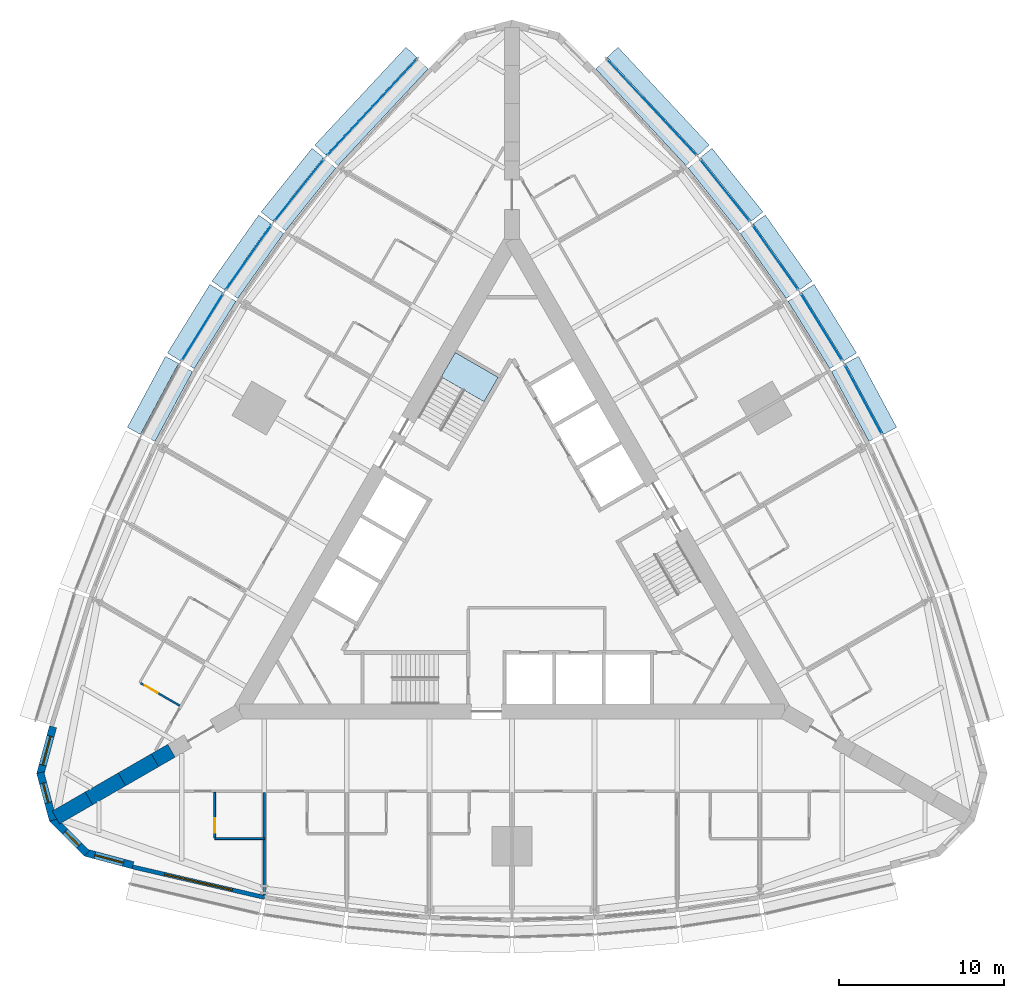
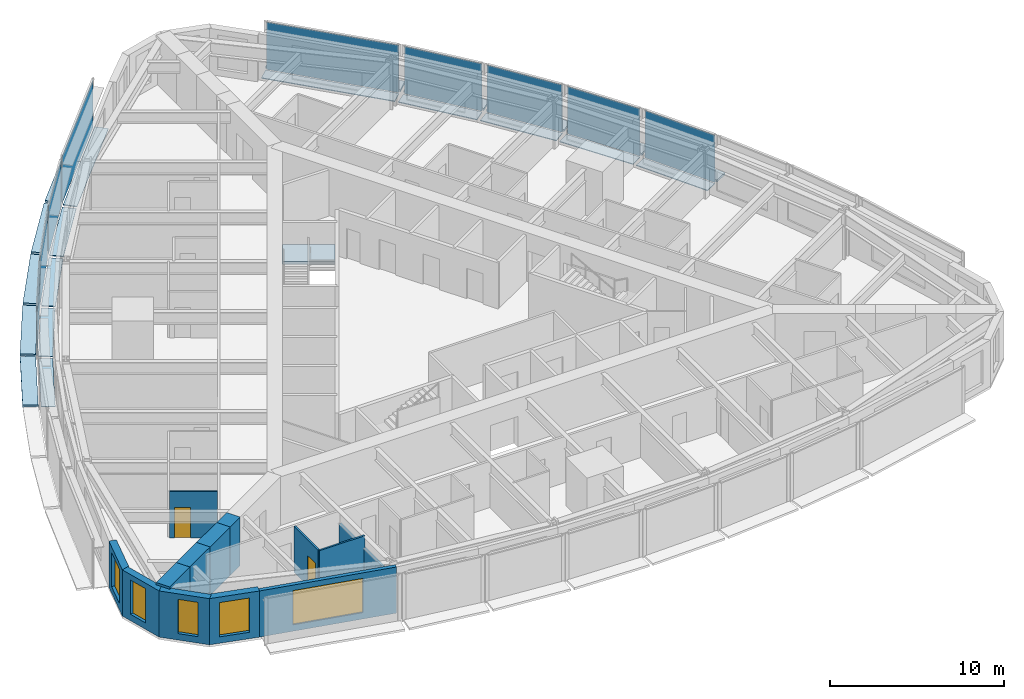
# One storey, part 7 of 14: 29 plates, 13 walls, 5 windows, 2 doors, 1 slab, 7 openings, 10 elements without a shape of their own.
"""IFC4 building model written with IfcOpenShell, lengths in metres."""

from ifc_helpers import new_model, si_unit, direction, frame, frame_2d, origin, origin_2d, place, context, subcontext, project, spatial, polyline, rectangle, outline, extrude, material, layer, layer_set, type_object, element, fill, aggregate, save


model = new_model("IFC4")

# Units and contexts
model_context = context("Model", 3, precision=1e-05, world=origin(), true_north=direction((0.0, 1.0)))
body_context = subcontext(model_context, "Body", "Model", "MODEL_VIEW")
ifc_project = project(units=[si_unit("LENGTHUNIT", "METRE"), si_unit("AREAUNIT", "SQUARE_METRE"), si_unit("VOLUMEUNIT", "CUBIC_METRE"), si_unit("PLANEANGLEUNIT", "RADIAN"), si_unit("MASSUNIT", "GRAM", prefix="KILO")], contexts=[model_context])

# Site, building, storey
site_placement = place(None, origin())
site = spatial("IfcSite", under=ifc_project, at=site_placement, CompositionType="ELEMENT")
building_placement = place(site_placement, origin())
building = spatial("IfcBuilding", under=site, at=building_placement, Name="Trikona Tower", CompositionType="ELEMENT")
storey_placement = place(building_placement, frame((0.0, 0.0, 65.89990234375)))
storey = spatial("IfcBuildingStorey", under=building, at=storey_placement, Name="L16", CompositionType="ELEMENT", Elevation=65.89990234375)

# Plates
ifc_material_1 = material(Name="Aluminium bar grating", Category="aluminium")
ifc_layer_1 = layer(ifc_material_1, 0.050048828125)
ifc_layer_set_1 = layer_set([ifc_layer_1], Name="Cavity catwalk grating")
plate_type_1 = type_object("IfcPlateType", Name="Cavity catwalk grating", PredefinedType="USERDEFINED", material=ifc_layer_set_1)
for number, where, z_axis, x_axis, name in (
    (1, (20.833740234375, 9.127197265625, -0.0498046875), (0.0, 0.0, 1.0), (-0.473422672721, 0.880835383572, 0.0), "Cavity catwalk L16-15"),
    (2, (18.3212890625, 13.47900390625, -0.0498046875), (0.0, 0.0, 1.0), (-0.526118935114, 0.85041099835, 0.0), "Cavity catwalk L16-16"),
):
    element("IfcPlate", number, at=place(storey_placement, frame(where, z_axis=z_axis, x_axis=x_axis)), inside=storey, type_object=plate_type_1, Name=name, ObjectType="CATWALK GRATING", PredefinedType="USERDEFINED", context=body_context, shape_type="SweptSolid", body=[
        extrude(rectangle(XDim=4.80224609375, YDim=0.820068359375, at=origin_2d()), origin(), (0.0, 0.0, 1.0), 0.050048828125),
    ])
plate_1_placement = place(storey_placement, frame((15.544189453125, 17.677734375, -0.0498046875), z_axis=(0.0, 0.0, 1.0), x_axis=(-0.576661909499, 0.816982889743, 0.0)))
element("IfcPlate", 3, at=plate_1_placement, inside=storey, type_object=plate_type_1, Name="Cavity catwalk L16-17", ObjectType="CATWALK GRATING", PredefinedType="USERDEFINED", context=body_context, shape_type="SweptSolid", body=[
    extrude(rectangle(XDim=4.82080078125, YDim=0.820068359375, at=origin_2d()), origin(), (0.0, 0.0, 1.0), 0.050048828125),
])
plate_2_placement = place(storey_placement, frame((12.502197265625, 21.72314453125, -0.0498046875), z_axis=(0.0, 0.0, 1.0), x_axis=(-0.624603618277, 0.780941944087, 0.0)))
element("IfcPlate", 4, at=plate_2_placement, inside=storey, type_object=plate_type_1, Name="Cavity catwalk L16-18", ObjectType="CATWALK GRATING", PredefinedType="USERDEFINED", context=body_context, shape_type="SweptSolid", body=[
    extrude(rectangle(XDim=4.857666015625, YDim=0.820068359375, at=origin_2d()), origin(), (0.0, 0.0, 1.0), 0.050048828125),
])
for number, where, z_axis, x_axis, name in (
    (5, (8.10107421875, 26.72314453125, -0.0498046875), (0.0, 0.0, 1.0), (-0.682298269147, 0.731073916864, 0.0), "Cavity catwalk L16-19"),
    (6, (-8.10107421875, 26.72314453125, -0.0498046875), (0.0, 0.0, 1.0), (-0.682298269147, -0.731073916864, 0.0), "Cavity catwalk L16-24"),
):
    element("IfcPlate", number, at=place(storey_placement, frame(where, z_axis=z_axis, x_axis=x_axis)), inside=storey, type_object=plate_type_1, Name=name, ObjectType="CATWALK GRATING", PredefinedType="USERDEFINED", context=body_context, shape_type="SweptSolid", body=[
        extrude(rectangle(XDim=8.01123046875, YDim=0.820068359375, at=origin_2d()), origin(), (0.0, 0.0, 1.0), 0.050048828125),
    ])
plate_3_placement = place(storey_placement, frame((-12.502197265625, 21.72314453125, -0.0498046875), z_axis=(0.0, 0.0, 1.0), x_axis=(-0.624603618277, -0.780941944087, 0.0)))
element("IfcPlate", 7, at=plate_3_placement, inside=storey, type_object=plate_type_1, Name="Cavity catwalk L16-25", ObjectType="CATWALK GRATING", PredefinedType="USERDEFINED", context=body_context, shape_type="SweptSolid", body=[
    extrude(rectangle(XDim=4.857666015625, YDim=0.820068359375, at=origin_2d()), origin(), (0.0, 0.0, 1.0), 0.050048828125),
])
plate_4_placement = place(storey_placement, frame((-15.544189453125, 17.677734375, -0.0498046875), z_axis=(0.0, 0.0, 1.0), x_axis=(-0.576661909499, -0.816982889743, 0.0)))
element("IfcPlate", 8, at=plate_4_placement, inside=storey, type_object=plate_type_1, Name="Cavity catwalk L16-26", ObjectType="CATWALK GRATING", PredefinedType="USERDEFINED", context=body_context, shape_type="SweptSolid", body=[
    extrude(rectangle(XDim=4.82080078125, YDim=0.820068359375, at=origin_2d()), origin(), (0.0, 0.0, 1.0), 0.050048828125),
])
for number, where, z_axis, x_axis, name in (
    (9, (-18.3212890625, 13.47900390625, -0.0498046875), (0.0, 0.0, 1.0), (-0.526118935114, -0.85041099835, 0.0), "Cavity catwalk L16-27"),
    (10, (-20.833740234375, 9.127197265625, -0.0498046875), (0.0, 0.0, 1.0), (-0.473422672721, -0.880835383572, 0.0), "Cavity catwalk L16-28"),
):
    element("IfcPlate", number, at=place(storey_placement, frame(where, z_axis=z_axis, x_axis=x_axis)), inside=storey, type_object=plate_type_1, Name=name, ObjectType="CATWALK GRATING", PredefinedType="USERDEFINED", context=body_context, shape_type="SweptSolid", body=[
        extrude(rectangle(XDim=4.80224609375, YDim=0.820068359375, at=origin_2d()), origin(), (0.0, 0.0, 1.0), 0.050048828125),
    ])

# Curtain wall, plate
ifc_material_2 = material(Name="Aluminium curtain wall system", Category="aluminium")
curtain_wall_type = type_object("IfcCurtainWallType", Name="Curtain wall DS1", PredefinedType="NOTDEFINED", material=ifc_material_2)
curtain_wall_1_placement = place(storey_placement, origin())
curtain_wall_1 = element("IfcCurtainWall", 11, at=curtain_wall_1_placement, inside=storey, type_object=curtain_wall_type, Name="Curtain wall DS1 L16", PredefinedType="NOTDEFINED")
ifc_material_3 = material(Name="Laminated clear glass", Category="glass")
ifc_layer_2 = layer(ifc_material_3, 0.028076171875)
ifc_layer_set_2 = layer_set([ifc_layer_2], Name="Glass panel DS1")
plate_type_2 = type_object("IfcPlateType", Name="Glass panel DS1", PredefinedType="CURTAIN_PANEL", material=ifc_layer_set_2)
plate_5_placement = place(storey_placement, frame((21.265380859375, 9.359130859375, 0.0), z_axis=(0.0, 0.0, 1.0), x_axis=(-0.473408350896, 0.880843080975, 0.0)))
plate_5 = element("IfcPlate", 12, at=plate_5_placement, type_object=plate_type_2, Name="CW-DS1 panel 1.1", PredefinedType="CURTAIN_PANEL", context=body_context, shape_type="SweptSolid", body=[
    extrude(rectangle(XDim=4.72216796875, YDim=0.028076171875, at=origin_2d()), origin(), (0.0, 0.0, 1.0), 3.320068359375),
])
aggregate(curtain_wall_1, [plate_5])

curtain_wall_2_placement = place(storey_placement, origin())
curtain_wall_2 = element("IfcCurtainWall", 13, at=curtain_wall_2_placement, inside=storey, type_object=curtain_wall_type, Name="Curtain wall DS1 L16", PredefinedType="NOTDEFINED")
plate_6_placement = place(storey_placement, frame((18.738037109375, 13.73681640625, 0.0), z_axis=(0.0, 0.0, 1.0), x_axis=(-0.526119790842, 0.850410468941, 0.0)))
plate_6 = element("IfcPlate", 14, at=plate_6_placement, type_object=plate_type_2, Name="CW-DS1 panel 1.1", PredefinedType="CURTAIN_PANEL", context=body_context, shape_type="SweptSolid", body=[
    extrude(rectangle(XDim=4.722412109375, YDim=0.028076171875, at=origin_2d()), origin(), (0.0, 0.0, 1.0), 3.320068359375),
])
aggregate(curtain_wall_2, [plate_6])

curtain_wall_3_placement = place(storey_placement, origin())
curtain_wall_3 = element("IfcCurtainWall", 15, at=curtain_wall_3_placement, inside=storey, type_object=curtain_wall_type, Name="Curtain wall DS1 L16", PredefinedType="NOTDEFINED")
plate_7_placement = place(storey_placement, frame((15.9443359375, 17.960205078125, 0.0), z_axis=(0.0, 0.0, 1.0), x_axis=(-0.576658362928, 0.816985393055, 0.0)))
plate_7 = element("IfcPlate", 16, at=plate_7_placement, type_object=plate_type_2, Name="CW-DS1 panel 1.1", PredefinedType="CURTAIN_PANEL", context=body_context, shape_type="SweptSolid", body=[
    extrude(rectangle(XDim=4.74072265625, YDim=0.028076171875, at=origin_2d()), origin(), (0.0, 0.0, 1.0), 3.320068359375),
])
aggregate(curtain_wall_3, [plate_7])

curtain_wall_4_placement = place(storey_placement, origin())
curtain_wall_4 = element("IfcCurtainWall", 17, at=curtain_wall_4_placement, inside=storey, type_object=curtain_wall_type, Name="Curtain wall DS1 L16", PredefinedType="NOTDEFINED")
plate_8_placement = place(storey_placement, frame((12.884765625, 22.029296875, 0.0), z_axis=(0.0, 0.0, 1.0), x_axis=(-0.624608599951, 0.780937959679, 0.0)))
plate_8 = element("IfcPlate", 18, at=plate_8_placement, type_object=plate_type_2, Name="CW-DS1 panel 1.1", PredefinedType="CURTAIN_PANEL", context=body_context, shape_type="SweptSolid", body=[
    extrude(rectangle(XDim=4.777587890625, YDim=0.028076171875, at=origin_2d()), origin(), (0.0, 0.0, 1.0), 3.320068359375),
])
aggregate(curtain_wall_4, [plate_8])

curtain_wall_5_placement = place(storey_placement, origin())
curtain_wall_5 = element("IfcCurtainWall", 19, at=curtain_wall_5_placement, inside=storey, type_object=curtain_wall_type, Name="Curtain wall DS1 L16", PredefinedType="NOTDEFINED")
plate_9_placement = place(storey_placement, frame((8.459228515625, 27.057373046875, 0.0), z_axis=(0.0, 0.0, 1.0), x_axis=(-0.682295351967, 0.731076639405, 0.0)))
plate_9 = element("IfcPlate", 20, at=plate_9_placement, type_object=plate_type_2, Name="CW-DS1 panel 1.1", PredefinedType="CURTAIN_PANEL", context=body_context, shape_type="SweptSolid", body=[
    extrude(rectangle(XDim=7.93115234375, YDim=0.028076171875, at=origin_2d()), origin(), (0.0, 0.0, 1.0), 3.320068359375),
])
aggregate(curtain_wall_5, [plate_9])

curtain_wall_6_placement = place(storey_placement, origin())
curtain_wall_6 = element("IfcCurtainWall", 21, at=curtain_wall_6_placement, inside=storey, type_object=curtain_wall_type, Name="Curtain wall DS1 L16", PredefinedType="NOTDEFINED")
plate_10_placement = place(storey_placement, frame((-8.459228515625, 27.057373046875, 0.0), z_axis=(0.0, 0.0, 1.0), x_axis=(-0.682295351967, -0.731076639405, 0.0)))
plate_10 = element("IfcPlate", 22, at=plate_10_placement, type_object=plate_type_2, Name="CW-DS1 panel 1.1", PredefinedType="CURTAIN_PANEL", context=body_context, shape_type="SweptSolid", body=[
    extrude(rectangle(XDim=7.93115234375, YDim=0.028076171875, at=origin_2d()), origin(), (0.0, 0.0, 1.0), 3.320068359375),
])
aggregate(curtain_wall_6, [plate_10])

curtain_wall_7_placement = place(storey_placement, origin())
curtain_wall_7 = element("IfcCurtainWall", 23, at=curtain_wall_7_placement, inside=storey, type_object=curtain_wall_type, Name="Curtain wall DS1 L16", PredefinedType="NOTDEFINED")
plate_11_placement = place(storey_placement, frame((-12.884765625, 22.029296875, 0.0), z_axis=(0.0, 0.0, 1.0), x_axis=(-0.624608599951, -0.780937959679, 0.0)))
plate_11 = element("IfcPlate", 24, at=plate_11_placement, type_object=plate_type_2, Name="CW-DS1 panel 1.1", PredefinedType="CURTAIN_PANEL", context=body_context, shape_type="SweptSolid", body=[
    extrude(rectangle(XDim=4.777587890625, YDim=0.028076171875, at=origin_2d()), origin(), (0.0, 0.0, 1.0), 3.320068359375),
])
aggregate(curtain_wall_7, [plate_11])

curtain_wall_8_placement = place(storey_placement, origin())
curtain_wall_8 = element("IfcCurtainWall", 25, at=curtain_wall_8_placement, inside=storey, type_object=curtain_wall_type, Name="Curtain wall DS1 L16", PredefinedType="NOTDEFINED")
plate_12_placement = place(storey_placement, frame((-15.9443359375, 17.960205078125, 0.0), z_axis=(0.0, 0.0, 1.0), x_axis=(-0.576658362928, -0.816985393055, 0.0)))
plate_12 = element("IfcPlate", 26, at=plate_12_placement, type_object=plate_type_2, Name="CW-DS1 panel 1.1", PredefinedType="CURTAIN_PANEL", context=body_context, shape_type="SweptSolid", body=[
    extrude(rectangle(XDim=4.74072265625, YDim=0.028076171875, at=origin_2d()), origin(), (0.0, 0.0, 1.0), 3.320068359375),
])
aggregate(curtain_wall_8, [plate_12])

curtain_wall_9_placement = place(storey_placement, origin())
curtain_wall_9 = element("IfcCurtainWall", 27, at=curtain_wall_9_placement, inside=storey, type_object=curtain_wall_type, Name="Curtain wall DS1 L16", PredefinedType="NOTDEFINED")
plate_13_placement = place(storey_placement, frame((-18.738037109375, 13.73681640625, 0.0), z_axis=(0.0, 0.0, 1.0), x_axis=(-0.526119790842, -0.850410468941, 0.0)))
plate_13 = element("IfcPlate", 28, at=plate_13_placement, type_object=plate_type_2, Name="CW-DS1 panel 1.1", PredefinedType="CURTAIN_PANEL", context=body_context, shape_type="SweptSolid", body=[
    extrude(rectangle(XDim=4.722412109375, YDim=0.028076171875, at=origin_2d()), origin(), (0.0, 0.0, 1.0), 3.320068359375),
])
aggregate(curtain_wall_9, [plate_13])

# Plates
ifc_material_4 = material(Name="Aluminium plate fin, pale anodised, on stainless steel outriggers", Category="steel")
ifc_layer_3 = layer(ifc_material_4, 0.14990234375)
ifc_layer_set_3 = layer_set([ifc_layer_3], Name="Outer skin fin 900")
plate_type_3 = type_object("IfcPlateType", Name="Outer skin fin 900", PredefinedType="USERDEFINED", material=ifc_layer_set_3)
for number, where, z_axis, x_axis, name in (
    (29, (21.732421875, 9.610107421875, 0.000244140625), (0.0, 0.0, 1.0), (-0.473422672721, 0.880835383572, 0.0), "Outer skin fin L16-15"),
    (30, (19.188720703125, 14.015625, 0.000244140625), (0.0, 0.0, 1.0), (-0.526118935114, 0.85041099835, 0.0), "Outer skin fin L16-16"),
):
    element("IfcPlate", number, at=place(storey_placement, frame(where, z_axis=z_axis, x_axis=x_axis)), inside=storey, type_object=plate_type_3, Name=name, ObjectType="FIN", PredefinedType="USERDEFINED", context=body_context, shape_type="SweptSolid", body=[
        extrude(rectangle(XDim=4.88232421875, YDim=0.89990234375, at=origin_2d()), origin(), (0.0, 0.0, 1.0), 0.14990234375),
    ])
plate_14_placement = place(storey_placement, frame((16.37744140625, 18.265869140625, 0.000244140625), z_axis=(0.0, 0.0, 1.0), x_axis=(-0.576661909499, 0.816982889743, 0.0)))
element("IfcPlate", 31, at=plate_14_placement, inside=storey, type_object=plate_type_3, Name="Outer skin fin L16-17", ObjectType="FIN", PredefinedType="USERDEFINED", context=body_context, shape_type="SweptSolid", body=[
    extrude(rectangle(XDim=4.90087890625, YDim=0.89990234375, at=origin_2d()), origin(), (0.0, 0.0, 1.0), 0.14990234375),
])
plate_15_placement = place(storey_placement, frame((13.298583984375, 22.360107421875, 0.000244140625), z_axis=(0.0, 0.0, 1.0), x_axis=(-0.624603618277, 0.780941944087, 0.0)))
element("IfcPlate", 32, at=plate_15_placement, inside=storey, type_object=plate_type_3, Name="Outer skin fin L16-18", ObjectType="FIN", PredefinedType="USERDEFINED", context=body_context, shape_type="SweptSolid", body=[
    extrude(rectangle(XDim=4.9375, YDim=0.89990234375, at=origin_2d()), origin(), (0.0, 0.0, 1.0), 0.14990234375),
])
for number, where, z_axis, x_axis, name in (
    (33, (8.8466796875, 27.419189453125, 0.000244140625), (0.0, 0.0, 1.0), (-0.682298269147, 0.731073916864, 0.0), "Outer skin fin L16-19"),
    (34, (-8.8466796875, 27.419189453125, 0.000244140625), (0.0, 0.0, 1.0), (-0.682298269147, -0.731073916864, 0.0), "Outer skin fin L16-24"),
):
    element("IfcPlate", number, at=place(storey_placement, frame(where, z_axis=z_axis, x_axis=x_axis)), inside=storey, type_object=plate_type_3, Name=name, ObjectType="FIN", PredefinedType="USERDEFINED", context=body_context, shape_type="SweptSolid", body=[
        extrude(rectangle(XDim=8.09130859375, YDim=0.89990234375, at=origin_2d()), origin(), (0.0, 0.0, 1.0), 0.14990234375),
    ])
plate_16_placement = place(storey_placement, frame((-13.298583984375, 22.360107421875, 0.000244140625), z_axis=(0.0, 0.0, 1.0), x_axis=(-0.624603618277, -0.780941944087, 0.0)))
element("IfcPlate", 35, at=plate_16_placement, inside=storey, type_object=plate_type_3, Name="Outer skin fin L16-25", ObjectType="FIN", PredefinedType="USERDEFINED", context=body_context, shape_type="SweptSolid", body=[
    extrude(rectangle(XDim=4.9375, YDim=0.89990234375, at=origin_2d()), origin(), (0.0, 0.0, 1.0), 0.14990234375),
])
plate_17_placement = place(storey_placement, frame((-16.37744140625, 18.265869140625, 0.000244140625), z_axis=(0.0, 0.0, 1.0), x_axis=(-0.576661909499, -0.816982889743, 0.0)))
element("IfcPlate", 36, at=plate_17_placement, inside=storey, type_object=plate_type_3, Name="Outer skin fin L16-26", ObjectType="FIN", PredefinedType="USERDEFINED", context=body_context, shape_type="SweptSolid", body=[
    extrude(rectangle(XDim=4.90087890625, YDim=0.89990234375, at=origin_2d()), origin(), (0.0, 0.0, 1.0), 0.14990234375),
])
for number, where, z_axis, x_axis, name in (
    (37, (-19.188720703125, 14.015625, 0.000244140625), (0.0, 0.0, 1.0), (-0.526118935114, -0.85041099835, 0.0), "Outer skin fin L16-27"),
    (38, (-21.732421875, 9.610107421875, 0.000244140625), (0.0, 0.0, 1.0), (-0.473422672721, -0.880835383572, 0.0), "Outer skin fin L16-28"),
):
    element("IfcPlate", number, at=place(storey_placement, frame(where, z_axis=z_axis, x_axis=x_axis)), inside=storey, type_object=plate_type_3, Name=name, ObjectType="FIN", PredefinedType="USERDEFINED", context=body_context, shape_type="SweptSolid", body=[
        extrude(rectangle(XDim=4.88232421875, YDim=0.89990234375, at=origin_2d()), origin(), (0.0, 0.0, 1.0), 0.14990234375),
    ])

# Stair, slab
ifc_material_5 = material(Name="Concrete f'c 5000 psi", Category="concrete")
stair_type = type_object("IfcStairType", Name="Core stair", PredefinedType="HALF_TURN_STAIR", material=ifc_material_5)
stair_placement = place(storey_placement, origin())
stair = element("IfcStair", 39, at=stair_placement, inside=storey, type_object=stair_type, Name="Stair C L16", PredefinedType="HALF_TURN_STAIR")
ifc_material_6 = material(Name="Concrete f'c 5000 psi", Category="concrete")
ifc_layer_4 = layer(ifc_material_6, 0.199951171875)
ifc_layer_set_4 = layer_set([ifc_layer_4], Name="Stair landing 200")
slab_type = type_object("IfcSlabType", Name="Stair landing 200", PredefinedType="LANDING", material=ifc_layer_set_4)
slab_placement = place(storey_placement, frame((0.0, 0.0, 1.5)))
slab = element("IfcSlab", 40, at=slab_placement, type_object=slab_type, Name="ST-C landing 2", PredefinedType="LANDING", context=body_context, shape_type="SweptSolid", body=[
    extrude(outline(polyline([(-0.837158203125, 10.702392578125), (-1.688720703125, 9.2275390625), (-4.286865234375, 10.7275390625), (-3.435302734375, 12.202392578125), (-0.837158203125, 10.702392578125)])), origin(), (0.0, 0.0, 1.0), 0.2001953125),
])
aggregate(stair, [slab])

# Wall
ifc_material_7 = material(Name="Metal stud and cement board", Category="gypsum")
ifc_layer_5 = layer(ifc_material_7, 0.1201171875)
ifc_layer_set_5 = layer_set([ifc_layer_5], Name="Bathroom wall 120")
wall_type_1 = type_object("IfcWallType", Name="Bathroom wall 120", PredefinedType="PLUMBINGWALL", material=ifc_layer_set_5)
wall_1_placement = place(storey_placement, frame((-18.0, -17.226318359375, 0.0), z_axis=(0.0, 0.0, 1.0), x_axis=(1.0, 0.0, 0.0)))
element("IfcWall", 41, at=wall_1_placement, inside=storey, type_object=wall_type_1, Name="Bathroom wall 1601", PredefinedType="PLUMBINGWALL", context=body_context, shape_type="SweptSolid", body=[
    extrude(rectangle(XDim=3.0, YDim=0.1201171875, at=frame_2d((1.5, 0.0))), origin(), (0.0, 0.0, 1.0), 3.235107421875),
])

# Wall, opening, door
wall_2_placement = place(storey_placement, frame((-18.0, -14.42626953125, 0.0), z_axis=(0.0, 0.0, 1.0), x_axis=(0.0, -1.0, 0.0)))
wall_2 = element("IfcWall", 42, at=wall_2_placement, inside=storey, type_object=wall_type_1, Name="Bathroom wall 1601", PredefinedType="PLUMBINGWALL", context=body_context, shape_type="SweptSolid", body=[
    extrude(rectangle(XDim=2.739990234375, YDim=0.1201171875, at=frame_2d((1.3701171875, 0.0))), origin(), (0.0, 0.0, 1.0), 3.235107421875),
])
opening_1_placement = place(wall_2_placement, frame((1.550048828125, 0.0, 0.0)))
opening_1 = element("IfcOpeningElement", 43, at=opening_1_placement, cuts=wall_2, Name="Opening D2", PredefinedType="OPENING", context=body_context, shape_type="SweptSolid", body=[
    extrude(rectangle(XDim=0.89990234375, YDim=2.1298828125, at=frame_2d((0.449951171875, 1.06494140625))), frame((0.0, 0.070068359375, 0.0), z_axis=(0.0, -1.0, 0.0), x_axis=(1.0, 0.0, 0.0)), (0.0, 0.0, 1.0), 0.14013671875),
])
ifc_material_8 = material(Name="Steel door frame with solid-core timber leaf", Category="steel")
door_type = type_object("IfcDoorType", Name="Bathroom door 900x2130", OperationType="SLIDING_TO_LEFT", PredefinedType="DOOR", material=ifc_material_8)
door_1_placement = place(opening_1_placement, origin())
door_1 = element("IfcDoor", 44, at=door_1_placement, inside=storey, type_object=door_type, Name="Bathroom door 1601", OperationType="SLIDING_TO_LEFT", OverallHeight=2.1298828125, OverallWidth=0.89990234375, PredefinedType="DOOR", context=body_context, shape_type="SweptSolid", body=[
    extrude(rectangle(XDim=0.89990234375, YDim=2.1298828125, at=frame_2d((0.449951171875, 1.06494140625))), frame((0.0, 0.02490234375, 0.0), z_axis=(0.0, -1.0, 0.0), x_axis=(1.0, 0.0, 0.0)), (0.0, 0.0, 1.0), 0.050048828125),
])
fill(opening_1, door_1)

wall_3_placement = place(storey_placement, frame((-20.10791015625, -9.17529296875, 0.0), z_axis=(0.0, 0.0, 1.0), x_axis=(-0.866035715982, 0.499982138324, 0.0)))
wall_3 = element("IfcWall", 45, at=wall_3_placement, inside=storey, type_object=wall_type_1, Name="Bathroom wall 1617", PredefinedType="PLUMBINGWALL", context=body_context, shape_type="SweptSolid", body=[
    extrude(rectangle(XDim=2.73974609375, YDim=0.1201171875, at=frame_2d((1.369873046875, 0.0))), origin(), (0.0, 0.0, 1.0), 3.235107421875),
])
opening_2_placement = place(wall_3_placement, frame((1.550048828125, 0.0, 0.0)))
opening_2 = element("IfcOpeningElement", 46, at=opening_2_placement, cuts=wall_3, Name="Opening D2", PredefinedType="OPENING", context=body_context, shape_type="SweptSolid", body=[
    extrude(rectangle(XDim=0.89990234375, YDim=2.1298828125, at=frame_2d((0.449951171875, 1.06494140625))), frame((0.0, 0.070068359375, 0.0), z_axis=(0.0, -1.0, 0.0), x_axis=(1.0, 0.0, 0.0)), (0.0, 0.0, 1.0), 0.14013671875),
])
door_2_placement = place(opening_2_placement, origin())
door_2 = element("IfcDoor", 47, at=door_2_placement, inside=storey, type_object=door_type, Name="Bathroom door 1617", OperationType="SLIDING_TO_LEFT", OverallHeight=2.1298828125, OverallWidth=0.89990234375, PredefinedType="DOOR", context=body_context, shape_type="SweptSolid", body=[
    extrude(rectangle(XDim=0.89990234375, YDim=2.1298828125, at=frame_2d((0.449951171875, 1.06494140625))), frame((0.0, 0.02490234375, 0.0), z_axis=(0.0, -1.0, 0.0), x_axis=(1.0, 0.0, 0.0)), (0.0, 0.0, 1.0), 0.050048828125),
])
fill(opening_2, door_2)

# Wall, opening, window
ifc_material_9 = material(Name="Brick-faced precast concrete", Category="masonry")
ifc_layer_6 = layer(ifc_material_9, 0.449951171875)
ifc_layer_set_6 = layer_set([ifc_layer_6], Name="Brick-faced corner wall 450")
wall_type_2 = type_object("IfcWallType", Name="Brick-faced corner wall 450", PredefinedType="SOLIDWALL", material=ifc_layer_set_6)
wall_4_placement = place(storey_placement, frame((-27.78271484375, -10.450439453125, 0.0), z_axis=(0.0, 0.0, 1.0), x_axis=(-0.258780998834, -0.965936019953, 0.0)))
wall_4 = element("IfcWall", 48, at=wall_4_placement, inside=storey, type_object=wall_type_2, Name="External wall L16-32", PredefinedType="SOLIDWALL", context=body_context, shape_type="SweptSolid", body=[
    extrude(rectangle(XDim=2.98876953125, YDim=0.449951171875, at=frame_2d((1.494384765625, 0.0))), origin(), (0.0, 0.0, 1.0), 3.235107421875),
])
opening_3_placement = place(wall_4_placement, frame((0.59423828125, 0.0, 0.449951171875)))
opening_3 = element("IfcOpeningElement", 49, at=opening_3_placement, cuts=wall_4, Name="Opening W1824", PredefinedType="OPENING", context=body_context, shape_type="SweptSolid", body=[
    extrude(rectangle(XDim=1.800048828125, YDim=2.39990234375, at=frame_2d((0.89990234375, 1.199951171875))), frame((0.0, 0.23486328125, 0.0), z_axis=(0.0, -1.0, 0.0), x_axis=(1.0, 0.0, 0.0)), (0.0, 0.0, 1.0), 0.469970703125),
])
ifc_material_10 = material(Name="Aluminium-framed double glazing", Category="aluminium")
window_type_1 = type_object("IfcWindowType", Name="Window 1800x2400", PartitioningType="SINGLE_PANEL", PredefinedType="WINDOW", material=ifc_material_10)
window_1_placement = place(opening_3_placement, origin())
window_1 = element("IfcWindow", 50, at=window_1_placement, inside=storey, type_object=window_type_1, Name="Window 1617", OverallHeight=2.39990234375, OverallWidth=1.800048828125, PartitioningType="SINGLE_PANEL", PredefinedType="WINDOW", context=body_context, shape_type="SweptSolid", body=[
    extrude(rectangle(XDim=1.800048828125, YDim=2.39990234375, at=frame_2d((0.89990234375, 1.199951171875))), frame((0.0, 0.030029296875, 0.0), z_axis=(0.0, -1.0, 0.0), x_axis=(1.0, 0.0, 0.0)), (0.0, 0.0, 1.0), 0.06005859375),
])
fill(opening_3, window_1)

wall_5_placement = place(storey_placement, frame((-28.55615234375, -13.220947265625, 0.0), z_axis=(0.0, 0.0, 1.0), x_axis=(0.258801419081, -0.965930548995, 0.0)))
wall_5 = element("IfcWall", 51, at=wall_5_placement, inside=storey, type_object=wall_type_2, Name="External wall L16-33", PredefinedType="SOLIDWALL", context=body_context, shape_type="SweptSolid", body=[
    extrude(outline(polyline([(2.988525390625, 0.22509765625), (2.928955078125, 0.22509765625), (2.437255859375, 0.09326171875), (2.402099609375, 0.22509765625), (0.0, 0.22509765625), (0.0, -0.22509765625), (2.988525390625, -0.22509765625), (2.988525390625, 0.22509765625)])), origin(), (0.0, 0.0, 1.0), 3.235107421875),
])
opening_4_placement = place(wall_5_placement, frame((0.676025390625, 0.0, 0.449951171875)))
opening_4 = element("IfcOpeningElement", 52, at=opening_4_placement, cuts=wall_5, Name="Opening W1224", PredefinedType="OPENING", context=body_context, shape_type="SweptSolid", body=[
    extrude(rectangle(XDim=1.199951171875, YDim=2.39990234375, at=frame_2d((0.60009765625, 1.199951171875))), frame((0.0, 0.23486328125, 0.0), z_axis=(0.0, -1.0, 0.0), x_axis=(1.0, 0.0, 0.0)), (0.0, 0.0, 1.0), 0.469970703125),
])
ifc_material_11 = material(Name="Aluminium-framed double glazing", Category="aluminium")
window_type_2 = type_object("IfcWindowType", Name="Window 1200x2400", PartitioningType="SINGLE_PANEL", PredefinedType="WINDOW", material=ifc_material_11)
window_2_placement = place(opening_4_placement, origin())
window_2 = element("IfcWindow", 53, at=window_2_placement, inside=storey, type_object=window_type_2, Name="Window 1617", OverallHeight=2.39990234375, OverallWidth=1.199951171875, PartitioningType="SINGLE_PANEL", PredefinedType="WINDOW", context=body_context, shape_type="SweptSolid", body=[
    extrude(rectangle(XDim=1.199951171875, YDim=2.39990234375, at=frame_2d((0.60009765625, 1.199951171875))), frame((0.0, 0.030029296875, 0.0), z_axis=(0.0, -1.0, 0.0), x_axis=(1.0, 0.0, 0.0)), (0.0, 0.0, 1.0), 0.06005859375),
])
fill(opening_4, window_2)

wall_6_placement = place(storey_placement, frame((-27.8408203125, -16.006591796875, 0.0), z_axis=(0.0, 0.0, 1.0), x_axis=(0.707025086683, -0.707188466253, 0.0)))
wall_6 = element("IfcWall", 54, at=wall_6_placement, inside=storey, type_object=wall_type_2, Name="External wall L16-34", PredefinedType="SOLIDWALL", context=body_context, shape_type="SweptSolid", body=[
    extrude(outline(polyline([(2.988525390625, 0.22509765625), (0.58642578125, 0.22509765625), (0.551025390625, 0.093017578125), (0.058837890625, 0.22509765625), (0.0, 0.22509765625), (0.0, -0.22509765625), (2.988525390625, -0.22509765625), (2.988525390625, 0.22509765625)])), origin(), (0.0, 0.0, 1.0), 3.235107421875),
])
opening_5_placement = place(wall_6_placement, frame((1.112548828125, 0.0, 0.449951171875)))
opening_5 = element("IfcOpeningElement", 55, at=opening_5_placement, cuts=wall_6, Name="Opening W1224", PredefinedType="OPENING", context=body_context, shape_type="SweptSolid", body=[
    extrude(rectangle(XDim=1.199951171875, YDim=2.39990234375, at=frame_2d((0.60009765625, 1.199951171875))), frame((0.0, 0.23486328125, 0.0), z_axis=(0.0, -1.0, 0.0), x_axis=(1.0, 0.0, 0.0)), (0.0, 0.0, 1.0), 0.469970703125),
])
window_3_placement = place(opening_5_placement, origin())
window_3 = element("IfcWindow", 56, at=window_3_placement, inside=storey, type_object=window_type_2, Name="Window 1601", OverallHeight=2.39990234375, OverallWidth=1.199951171875, PartitioningType="SINGLE_PANEL", PredefinedType="WINDOW", context=body_context, shape_type="SweptSolid", body=[
    extrude(rectangle(XDim=1.199951171875, YDim=2.39990234375, at=frame_2d((0.60009765625, 1.199951171875))), frame((0.0, 0.030029296875, 0.0), z_axis=(0.0, -1.0, 0.0), x_axis=(1.0, 0.0, 0.0)), (0.0, 0.0, 1.0), 0.06005859375),
])
fill(opening_5, window_3)

wall_7_placement = place(storey_placement, frame((-25.82861328125, -18.061767578125, 0.0), z_axis=(0.0, 0.0, 1.0), x_axis=(0.965930548995, -0.258801419081, 0.0)))
wall_7 = element("IfcWall", 57, at=wall_7_placement, inside=storey, type_object=wall_type_2, Name="External wall L16-35", PredefinedType="SOLIDWALL", context=body_context, shape_type="SweptSolid", body=[
    extrude(rectangle(XDim=2.988525390625, YDim=0.449951171875, at=frame_2d((1.494140625, 0.0))), origin(), (0.0, 0.0, 1.0), 3.235107421875),
])
opening_6_placement = place(wall_7_placement, frame((0.59423828125, 0.0, 0.449951171875)))
opening_6 = element("IfcOpeningElement", 58, at=opening_6_placement, cuts=wall_7, Name="Opening W1824", PredefinedType="OPENING", context=body_context, shape_type="SweptSolid", body=[
    extrude(rectangle(XDim=1.800048828125, YDim=2.39990234375, at=frame_2d((0.89990234375, 1.199951171875))), frame((0.0, 0.23486328125, 0.0), z_axis=(0.0, -1.0, 0.0), x_axis=(1.0, 0.0, 0.0)), (0.0, 0.0, 1.0), 0.469970703125),
])
window_4_placement = place(opening_6_placement, origin())
window_4 = element("IfcWindow", 59, at=window_4_placement, inside=storey, type_object=window_type_1, Name="Window 1601", OverallHeight=2.39990234375, OverallWidth=1.800048828125, PartitioningType="SINGLE_PANEL", PredefinedType="WINDOW", context=body_context, shape_type="SweptSolid", body=[
    extrude(rectangle(XDim=1.800048828125, YDim=2.39990234375, at=frame_2d((0.89990234375, 1.199951171875))), frame((0.0, 0.030029296875, 0.0), z_axis=(0.0, -1.0, 0.0), x_axis=(1.0, 0.0, 0.0)), (0.0, 0.0, 1.0), 0.06005859375),
])
fill(opening_6, window_4)

# Walls
ifc_material_12 = material(Name="Concrete f'c 10000 psi", Category="concrete")
ifc_layer_7 = layer(ifc_material_12, 0.89990234375)
ifc_layer_set_7 = layer_set([ifc_layer_7], Name="Buttress wall 900")
wall_type_3 = type_object("IfcWallType", Name="Buttress wall 900", PredefinedType="SHEAR", material=ifc_layer_set_7)
wall_8_placement = place(storey_placement, frame((-20.6103515625, -11.8994140625, 0.0), z_axis=(0.0, 0.0, 1.0), x_axis=(-0.866009537788, -0.500027479704, 0.0)))
element("IfcWall", 60, at=wall_8_placement, inside=storey, type_object=wall_type_3, Name="Buttress wall 3 part 2", PredefinedType="SHEAR", context=body_context, shape_type="SweptSolid", body=[
    extrude(rectangle(XDim=1.15478515625, YDim=0.89990234375, at=frame_2d((0.577392578125, 0.0))), origin(), (0.0, 0.0, 1.0), 3.400146484375),
])
for number, where, z_axis, x_axis, name in (
    (61, (-21.6103515625, -12.476806640625, 0.0), (0.0, 0.0, 1.0), (-0.866055313784, -0.499948190782, 0.0), "Buttress wall 3 part 3"),
    (62, (-23.6103515625, -13.63134765625, 0.0), (0.0, 0.0, 1.0), (-0.866009537788, -0.500027479704, 0.0), "Buttress wall 3 part 4"),
    (63, (-25.6103515625, -14.7861328125, 0.0), (0.0, 0.0, 1.0), (-0.866009537788, -0.500027479704, 0.0), "Buttress wall 3 part 5"),
):
    element("IfcWall", number, at=place(storey_placement, frame(where, z_axis=z_axis, x_axis=x_axis)), inside=storey, type_object=wall_type_3, Name=name, PredefinedType="SHEAR", context=body_context, shape_type="SweptSolid", body=[
        extrude(rectangle(XDim=2.309326171875, YDim=0.89990234375, at=frame_2d((1.15478515625, 0.0))), origin(), (0.0, 0.0, 1.0), 3.400146484375),
    ])

# Wall, opening, window
ifc_material_13 = material(Name="Insulated precast concrete spandrel panel", Category="concrete")
ifc_layer_8 = layer(ifc_material_13, 0.25)
ifc_layer_set_8 = layer_set([ifc_layer_8], Name="Inner skin wall 250")
wall_type_4 = type_object("IfcWallType", Name="Inner skin wall 250", PredefinedType="STANDARD", material=ifc_layer_set_8)
wall_9_placement = place(storey_placement, frame((-22.9716796875, -18.930908203125, 0.0), z_axis=(0.0, 0.0, 1.0), x_axis=(0.974279327392, -0.225343720163, 0.0)))
wall_9 = element("IfcWall", 64, at=wall_9_placement, inside=storey, type_object=wall_type_4, Name="External wall L16-00", PredefinedType="STANDARD", context=body_context, shape_type="SweptSolid", body=[
    extrude(rectangle(XDim=8.211181640625, YDim=0.25, at=frame_2d((4.10546875, 0.0))), origin(), (0.0, 0.0, 1.0), 3.235107421875),
])
opening_7_placement = place(wall_9_placement, frame((2.005615234375, 0.0, 0.449951171875)))
opening_7 = element("IfcOpeningElement", 65, at=opening_7_placement, cuts=wall_9, Name="Opening W4224", PredefinedType="OPENING", context=body_context, shape_type="SweptSolid", body=[
    extrude(rectangle(XDim=4.199951171875, YDim=2.39990234375, at=frame_2d((2.10009765625, 1.199951171875))), frame((0.0, 0.135009765625, 0.0), z_axis=(0.0, -1.0, 0.0), x_axis=(1.0, 0.0, 0.0)), (0.0, 0.0, 1.0), 0.27001953125),
])
ifc_material_14 = material(Name="Aluminium-framed double glazing", Category="aluminium")
window_type_3 = type_object("IfcWindowType", Name="Window 4200x2400", PartitioningType="SINGLE_PANEL", PredefinedType="WINDOW", material=ifc_material_14)
window_5_placement = place(opening_7_placement, origin())
window_5 = element("IfcWindow", 66, at=window_5_placement, inside=storey, type_object=window_type_3, Name="Window 1601", OverallHeight=2.39990234375, OverallWidth=4.199951171875, PartitioningType="SINGLE_PANEL", PredefinedType="WINDOW", context=body_context, shape_type="SweptSolid", body=[
    extrude(rectangle(XDim=4.199951171875, YDim=2.39990234375, at=frame_2d((2.10009765625, 1.199951171875))), frame((0.0, 0.030029296875, 0.0), z_axis=(0.0, -1.0, 0.0), x_axis=(1.0, 0.0, 0.0)), (0.0, 0.0, 1.0), 0.06005859375),
])
fill(opening_7, window_5)

# Wall
ifc_material_15 = material(Name="Metal stud and gypsum board, 1-hour acoustic", Category="gypsum")
ifc_layer_9 = layer(ifc_material_15, 0.14990234375)
ifc_layer_set_9 = layer_set([ifc_layer_9], Name="Party wall 150")
wall_type_5 = type_object("IfcWallType", Name="Party wall 150", PredefinedType="PARTITIONING", material=ifc_layer_set_9)
wall_10_placement = place(storey_placement, frame((-15.0, -14.42626953125, 0.0), z_axis=(0.0, 0.0, 1.0), x_axis=(0.0, -1.0, 0.0)))
element("IfcWall", 67, at=wall_10_placement, inside=storey, type_object=wall_type_5, Name="Partition L16 F1 u-15", PredefinedType="PARTITIONING", context=body_context, shape_type="SweptSolid", body=[
    extrude(rectangle(XDim=6.22021484375, YDim=0.14990234375, at=frame_2d((3.110107421875, 0.0))), origin(), (0.0, 0.0, 1.0), 2.389404296875),
])

save(model, "model.ifc")
